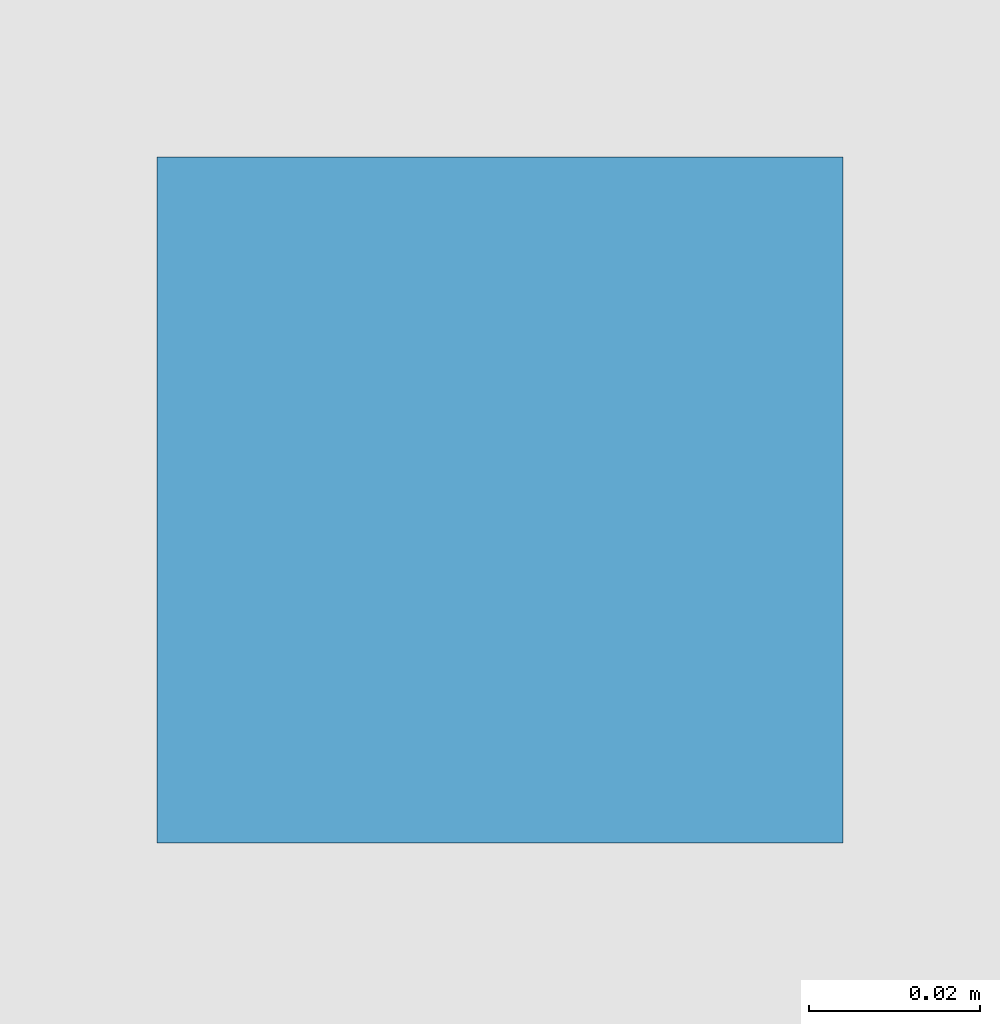
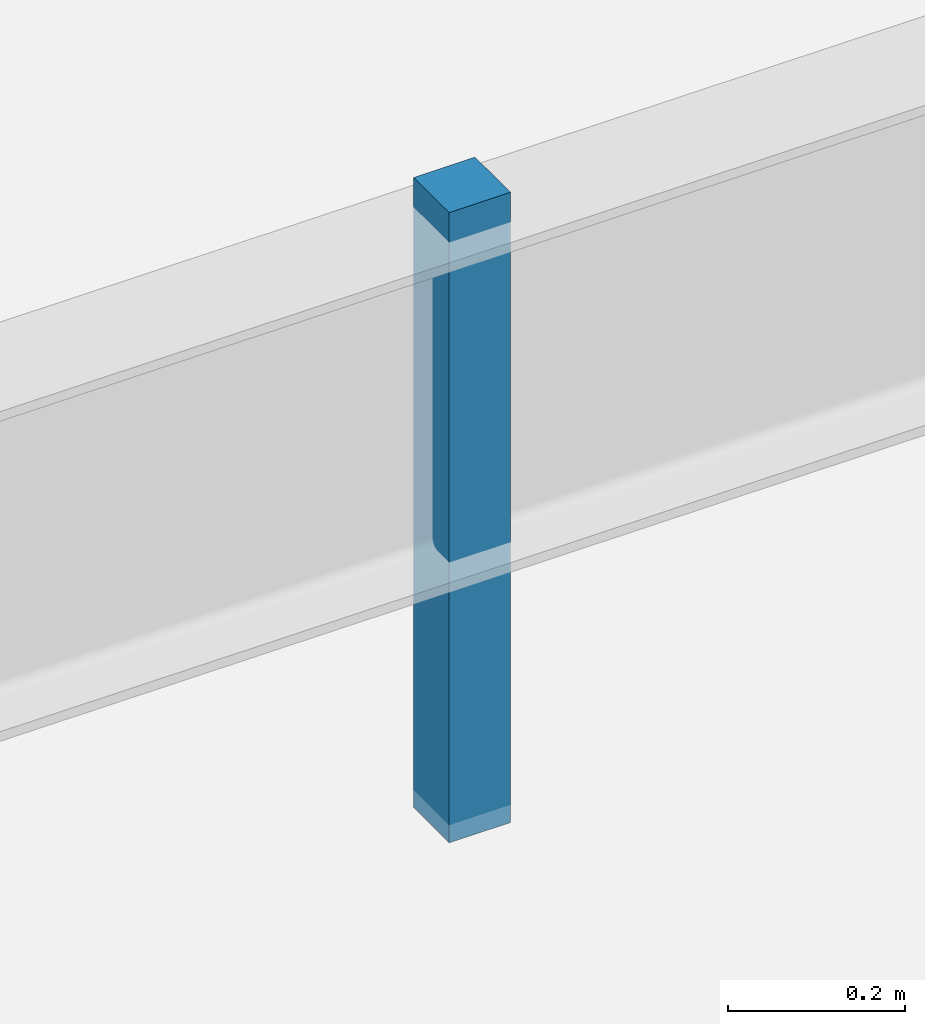
# One storey, part 116 of 128: 1 discrete accessory.
"""IFC4 building model written with IfcOpenShell, lengths in metres."""

from ifc_helpers import new_model, si_unit, direction, frame, origin, origin_2d, place, context, subcontext, project, spatial, rectangle, extrude, material, type_object, element, save


model = new_model("IFC4")

# Units and contexts
model_context = context("Model", 3, precision=1e-05, world=origin(), true_north=direction((0.0, 1.0)))
body_context = subcontext(model_context, "Body", "Model", "MODEL_VIEW")
ifc_project = project(units=[si_unit("LENGTHUNIT", "METRE"), si_unit("AREAUNIT", "SQUARE_METRE"), si_unit("VOLUMEUNIT", "CUBIC_METRE"), si_unit("PLANEANGLEUNIT", "RADIAN"), si_unit("MASSUNIT", "GRAM", prefix="KILO")], contexts=[model_context])

# Site, building, storey
site_placement = place(None, origin())
site = spatial("IfcSite", under=ifc_project, at=site_placement, CompositionType="ELEMENT")
building_placement = place(site_placement, origin())
building = spatial("IfcBuilding", under=site, at=building_placement, Name="Solmirada Galleria", CompositionType="ELEMENT")
storey_placement = place(building_placement, origin())
storey = spatial("IfcBuildingStorey", under=building, at=storey_placement, Name="L00", CompositionType="ELEMENT", Elevation=0.0)

# Discrete accessory
ifc_material = material(Name="Steel S355 / ASTM A992 Grade 50", Category="steel")
discrete_accessory_type = type_object("IfcDiscreteAccessoryType", Name="ACC-CEIL-HANGER", PredefinedType="BRACKET", material=ifc_material)
discrete_accessory_placement = place(storey_placement, frame((140.0, 92.0, 4.550048828125), z_axis=(0.0, 0.0, 1.0), x_axis=(1.0, 0.0, 0.0)))
element("IfcDiscreteAccessory", 1, at=discrete_accessory_placement, inside=storey, type_object=discrete_accessory_type, Name="Ceiling suspension hanger L00-3", PredefinedType="BRACKET", context=body_context, shape_type="SweptSolid", body=[
    extrude(rectangle(XDim=0.080078125, YDim=0.080078125, at=origin_2d()), origin(), (0.0, 0.0, 1.0), 0.8701171875),
])

save(model, "model.ifc")
